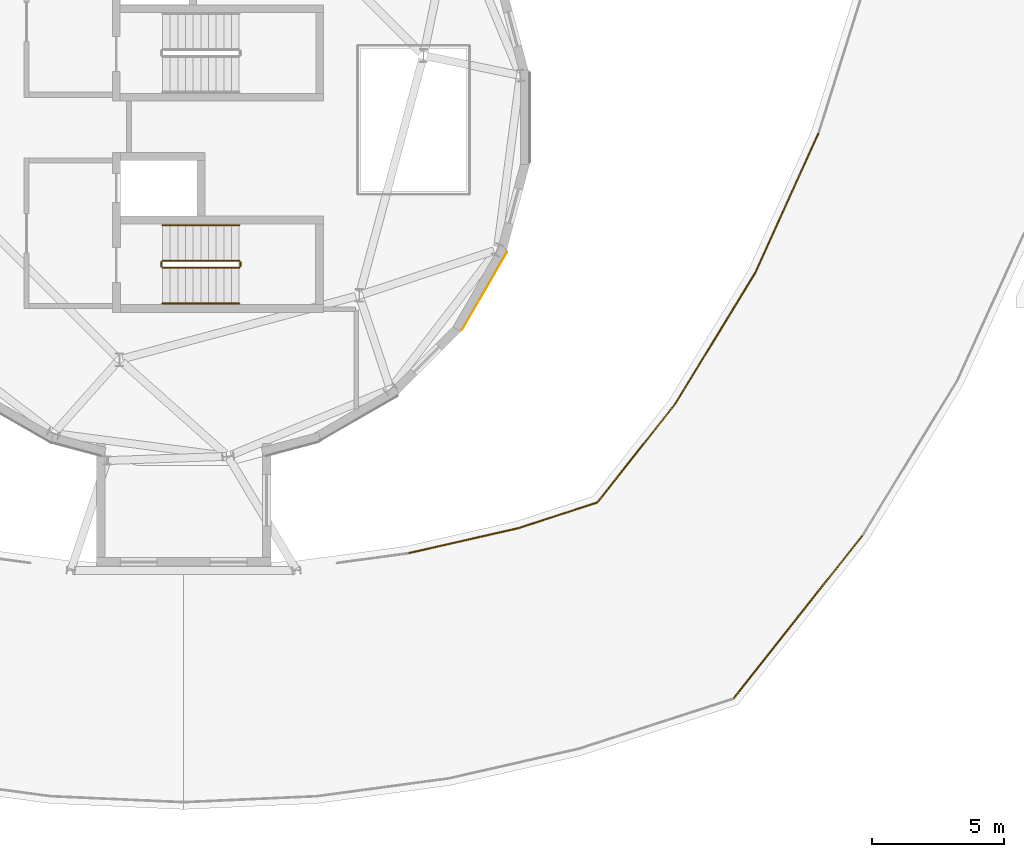
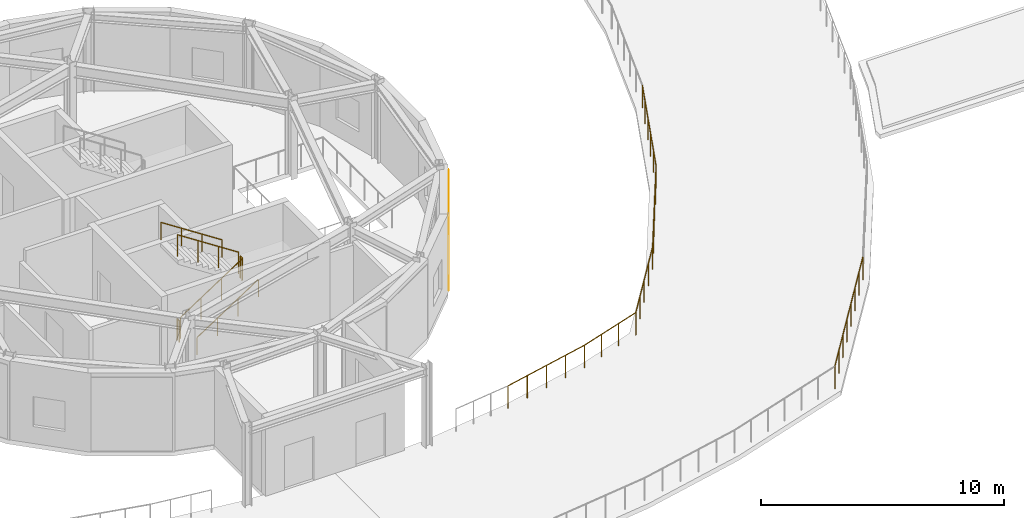
# One storey, part 49 of 59: 12 railings, 1 covering.
"""IFC4 building model written with IfcOpenShell, lengths in metres."""

from ifc_helpers import new_model, si_unit, direction, frame, origin, origin_2d, place, context, subcontext, project, spatial, rectangle, circle, extrude, material, layer, layer_set, type_object, element, save


model = new_model("IFC4")

# Units and contexts
model_context = context("Model", 3, precision=1e-05, world=origin(), true_north=direction((0.0, 1.0)))
body_context = subcontext(model_context, "Body", "Model", "MODEL_VIEW")
ifc_project = project(units=[si_unit("LENGTHUNIT", "METRE"), si_unit("AREAUNIT", "SQUARE_METRE"), si_unit("VOLUMEUNIT", "CUBIC_METRE"), si_unit("PLANEANGLEUNIT", "RADIAN"), si_unit("MASSUNIT", "GRAM", prefix="KILO")], contexts=[model_context])

# Site, building, storey
site_placement = place(None, origin())
site = spatial("IfcSite", under=ifc_project, at=site_placement, CompositionType="ELEMENT")
building_placement = place(site_placement, origin())
building = spatial("IfcBuilding", under=site, at=building_placement, Name="Varnklinge Art Gallery", CompositionType="ELEMENT")
storey_placement = place(building_placement, frame((0.0, 0.0, 9.52001953125)))
storey = spatial("IfcBuildingStorey", under=building, at=storey_placement, Name="L02", CompositionType="ELEMENT", Elevation=9.52001953125)

# Covering
ifc_material_1 = material(Name="Pre-weathered Zinc", Category="metal")
ifc_layer = layer(ifc_material_1, 0.02490234375)
ifc_layer_set = layer_set([ifc_layer], Name="Pre-weathered Zinc")
covering_type = type_object("IfcCoveringType", Name="CLD-ZNC", PredefinedType="CLADDING", material=ifc_layer_set)
covering_placement = place(storey_placement, frame((86.88720703125, 32.023681640625, 0.0458984375), z_axis=(0.0, 0.0, 1.0), x_axis=(-0.5, -0.866025403784, 0.0)))
element("IfcCovering", 1, at=covering_placement, inside=storey, type_object=covering_type, Name="L02 Brushed Zinc Drum Cladding EW-V4D-L02-03", PredefinedType="CLADDING", context=body_context, shape_type="SweptSolid", body=[
    extrude(rectangle(XDim=3.39111328125, YDim=0.02490234375, at=origin_2d()), origin(), (0.0, 0.0, 1.0), 3.7099609375),
])

# Railings
ifc_material_2 = material(Name="Steel S355", Category="steel")
railing_type_1 = type_object("IfcRailingType", Name="GR-EXT", PredefinedType="GUARDRAIL", material=ifc_material_2)
railing_1_placement = place(storey_placement, frame((96.30615234375, 16.589599609375, 0.0)))
element("IfcRailing", 2, at=railing_1_placement, inside=storey, type_object=railing_type_1, Name="L02 Roof Sculpture Garden Guardrail O01.1", PredefinedType="GUARDRAIL", context=body_context, shape_type="SweptSolid", body=[
    extrude(circle(Radius=0.02392578125, at=origin_2d()), frame((0.0, 0.0, 1.1259765625), z_axis=(0.620763892495, 0.783997570006, 0.0), x_axis=(-0.783997570006, 0.620763892495, 0.0)), (0.0, 0.0, 1.0), 7.900146484375),
    extrude(circle(Radius=0.02099609375, at=origin_2d()), origin(), (0.0, 0.0, 1.0), 1.101806640625),
    extrude(circle(Radius=0.02099609375, at=origin_2d()), frame((0.70068359375, 0.884765625, 0.0)), (0.0, 0.0, 1.0), 1.101806640625),
    extrude(circle(Radius=0.02099609375, at=origin_2d()), frame((1.401123046875, 1.76953125, 0.0)), (0.0, 0.0, 1.0), 1.101806640625),
    extrude(circle(Radius=0.02099609375, at=origin_2d()), frame((2.101806640625, 2.654296875, 0.0)), (0.0, 0.0, 1.0), 1.101806640625),
    extrude(circle(Radius=0.02099609375, at=origin_2d()), frame((2.80224609375, 3.539306640625, 0.0)), (0.0, 0.0, 1.0), 1.101806640625),
    extrude(circle(Radius=0.02099609375, at=origin_2d()), frame((3.5029296875, 4.424072265625, 0.0)), (0.0, 0.0, 1.0), 1.101806640625),
    extrude(circle(Radius=0.02099609375, at=origin_2d()), frame((4.203369140625, 5.308837890625, 0.0)), (0.0, 0.0, 1.0), 1.101806640625),
    extrude(circle(Radius=0.02099609375, at=origin_2d()), frame((4.904052734375, 6.193603515625, 0.0)), (0.0, 0.0, 1.0), 1.101806640625),
])
railing_2_placement = place(storey_placement, frame((91.150390625, 24.009521484375, 0.0)))
element("IfcRailing", 3, at=railing_2_placement, inside=storey, type_object=railing_type_1, Name="L02 Roof Sculpture Garden Guardrail I01.1", PredefinedType="GUARDRAIL", context=body_context, shape_type="SweptSolid", body=[
    extrude(circle(Radius=0.02392578125, at=origin_2d()), frame((0.0, 0.0, 1.1259765625), z_axis=(0.620762109021, 0.783998982145, 0.0), x_axis=(-0.783998982145, 0.620762109021, 0.0)), (0.0, 0.0, 1.0), 4.756103515625),
    extrude(circle(Radius=0.02099609375, at=origin_2d()), origin(), (0.0, 0.0, 1.0), 1.101806640625),
    extrude(circle(Radius=0.02099609375, at=origin_2d()), frame((0.738037109375, 0.93212890625, 0.0)), (0.0, 0.0, 1.0), 1.101806640625),
    extrude(circle(Radius=0.02099609375, at=origin_2d()), frame((1.47607421875, 1.8642578125, 0.0)), (0.0, 0.0, 1.0), 1.101806640625),
    extrude(circle(Radius=0.02099609375, at=origin_2d()), frame((2.21435546875, 2.796630859375, 0.0)), (0.0, 0.0, 1.0), 1.101806640625),
    extrude(circle(Radius=0.02099609375, at=origin_2d()), frame((2.952392578125, 3.728759765625, 0.0)), (0.0, 0.0, 1.0), 1.101806640625),
])
railing_3_placement = place(storey_placement, frame((94.102783203125, 27.73828125, 0.0)))
element("IfcRailing", 4, at=railing_3_placement, inside=storey, type_object=railing_type_1, Name="L02 Roof Sculpture Garden Guardrail I02.1", PredefinedType="GUARDRAIL", context=body_context, shape_type="SweptSolid", body=[
    extrude(circle(Radius=0.02392578125, at=origin_2d()), frame((0.0, 0.0, 1.1259765625), z_axis=(0.52096132854, 0.85358027986, 0.0), x_axis=(-0.85358027986, 0.52096132854, 0.0)), (0.0, 0.0, 1.0), 5.80078125),
    extrude(circle(Radius=0.02099609375, at=origin_2d()), origin(), (0.0, 0.0, 1.0), 1.101806640625),
    extrude(circle(Radius=0.02099609375, at=origin_2d()), frame((0.6044921875, 0.990234375, 0.0)), (0.0, 0.0, 1.0), 1.101806640625),
    extrude(circle(Radius=0.02099609375, at=origin_2d()), frame((1.208740234375, 1.98046875, 0.0)), (0.0, 0.0, 1.0), 1.101806640625),
    extrude(circle(Radius=0.02099609375, at=origin_2d()), frame((1.813232421875, 2.970947265625, 0.0)), (0.0, 0.0, 1.0), 1.101806640625),
    extrude(circle(Radius=0.02099609375, at=origin_2d()), frame((2.41748046875, 3.961181640625, 0.0)), (0.0, 0.0, 1.0), 1.101806640625),
    extrude(circle(Radius=0.02099609375, at=origin_2d()), frame((3.02197265625, 4.951416015625, 0.0)), (0.0, 0.0, 1.0), 1.101806640625),
])
railing_4_placement = place(storey_placement, frame((97.124755859375, 32.689697265625, 0.0)))
element("IfcRailing", 5, at=railing_4_placement, inside=storey, type_object=railing_type_1, Name="L02 Roof Sculpture Garden Guardrail I03.1", PredefinedType="GUARDRAIL", context=body_context, shape_type="SweptSolid", body=[
    extrude(circle(Radius=0.02392578125, at=origin_2d()), frame((0.0, 0.0, 1.1259765625), z_axis=(0.413381162395, 0.91055807864, 0.0), x_axis=(-0.91055807864, 0.413381162395, 0.0)), (0.0, 0.0, 1.0), 5.80078125),
    extrude(circle(Radius=0.02099609375, at=origin_2d()), origin(), (0.0, 0.0, 1.0), 1.101806640625),
    extrude(circle(Radius=0.02099609375, at=origin_2d()), frame((0.4794921875, 1.056396484375, 0.0)), (0.0, 0.0, 1.0), 1.101806640625),
    extrude(circle(Radius=0.02099609375, at=origin_2d()), frame((0.959228515625, 2.11279296875, 0.0)), (0.0, 0.0, 1.0), 1.101806640625),
    extrude(circle(Radius=0.02099609375, at=origin_2d()), frame((1.438720703125, 3.169189453125, 0.0)), (0.0, 0.0, 1.0), 1.101806640625),
    extrude(circle(Radius=0.02099609375, at=origin_2d()), frame((1.91845703125, 4.2255859375, 0.0)), (0.0, 0.0, 1.0), 1.101806640625),
    extrude(circle(Radius=0.02099609375, at=origin_2d()), frame((2.39794921875, 5.281982421875, 0.0)), (0.0, 0.0, 1.0), 1.101806640625),
])
railing_5_placement = place(storey_placement, frame((83.9912109375, 22.0908203125, 0.0)))
element("IfcRailing", 6, at=railing_5_placement, inside=storey, type_object=railing_type_1, Name="L02 Roof Sculpture Garden Guardrail I39.1", PredefinedType="GUARDRAIL", context=body_context, shape_type="SweptSolid", body=[
    extrude(circle(Radius=0.02392578125, at=origin_2d()), frame((0.0, 0.0, 1.1259765625), z_axis=(0.975060863932, 0.221937630043, 0.0), x_axis=(-0.221937630043, 0.975060863932, 0.0)), (0.0, 0.0, 1.0), 4.26708984375),
    extrude(circle(Radius=0.02099609375, at=origin_2d()), origin(), (0.0, 0.0, 1.0), 1.101806640625),
    extrude(circle(Radius=0.02099609375, at=origin_2d()), frame((1.0400390625, 0.23681640625, 0.0)), (0.0, 0.0, 1.0), 1.101806640625),
    extrude(circle(Radius=0.02099609375, at=origin_2d()), frame((2.080322265625, 0.4736328125, 0.0)), (0.0, 0.0, 1.0), 1.101806640625),
    extrude(circle(Radius=0.02099609375, at=origin_2d()), frame((3.12060546875, 0.710205078125, 0.0)), (0.0, 0.0, 1.0), 1.101806640625),
    extrude(circle(Radius=0.02099609375, at=origin_2d()), frame((4.16064453125, 0.947021484375, 0.0)), (0.0, 0.0, 1.0), 1.101806640625),
])
railing_6_placement = place(storey_placement, frame((88.15185546875, 23.037841796875, 0.0)))
element("IfcRailing", 7, at=railing_6_placement, inside=storey, type_object=railing_type_1, Name="L02 Roof Sculpture Garden Guardrail I40.1", PredefinedType="GUARDRAIL", context=body_context, shape_type="SweptSolid", body=[
    extrude(circle(Radius=0.02392578125, at=origin_2d()), frame((0.0, 0.0, 1.1259765625), z_axis=(0.951298964859, 0.308269816002, 0.0), x_axis=(-0.308269816002, 0.951298964859, 0.0)), (0.0, 0.0, 1.0), 3.152099609375),
    extrude(circle(Radius=0.02099609375, at=origin_2d()), origin(), (0.0, 0.0, 1.0), 1.101806640625),
    extrude(circle(Radius=0.02099609375, at=origin_2d()), frame((0.99951171875, 0.323974609375, 0.0)), (0.0, 0.0, 1.0), 1.101806640625),
    extrude(circle(Radius=0.02099609375, at=origin_2d()), frame((1.9990234375, 0.647705078125, 0.0)), (0.0, 0.0, 1.0), 1.101806640625),
    extrude(circle(Radius=0.02099609375, at=origin_2d()), frame((2.99853515625, 0.9716796875, 0.0)), (0.0, 0.0, 1.0), 1.101806640625),
])
ifc_material_3 = material(Name="Steel S355", Category="steel")
railing_type_2 = type_object("IfcRailingType", Name="GR-INT", PredefinedType="GUARDRAIL", material=ifc_material_3)
railing_7_placement = place(storey_placement, frame((74.699951171875, 32.89990234375, 0.18896484375)))
element("IfcRailing", 8, at=railing_7_placement, inside=storey, type_object=railing_type_2, Name="L02 ST-01 stair guard 1", PredefinedType="GUARDRAIL", context=body_context, shape_type="SweptSolid", body=[
    extrude(circle(Radius=0.02392578125, at=origin_2d()), frame((0.0, 0.0, 1.076171875), z_axis=(0.837648470955, 0.0, 0.546209702502), x_axis=(0.0, 1.0, 0.0)), (0.0, 0.0, 1.0), 3.462158203125),
    extrude(circle(Radius=0.02099609375, at=origin_2d()), origin(), (0.0, 0.0, 1.0), 1.052001953125),
    extrude(circle(Radius=0.02099609375, at=origin_2d()), frame((0.966796875, 0.0, 0.63037109375)), (0.0, 0.0, 1.0), 1.052001953125),
    extrude(circle(Radius=0.02099609375, at=origin_2d()), frame((1.933349609375, 0.0, 1.2607421875)), (0.0, 0.0, 1.0), 1.052001953125),
    extrude(circle(Radius=0.02099609375, at=origin_2d()), frame((2.900146484375, 0.0, 1.89111328125)), (0.0, 0.0, 1.0), 1.052001953125),
])
railing_8_placement = place(storey_placement, frame((77.64990234375, 32.949951171875, 2.080078125)))
element("IfcRailing", 9, at=railing_8_placement, inside=storey, type_object=railing_type_2, Name="L02 ST-01 stair guard 2", PredefinedType="GUARDRAIL", context=body_context, shape_type="SweptSolid", body=[
    extrude(circle(Radius=0.02392578125, at=origin_2d()), frame((0.0, 0.0, 1.076171875), z_axis=(0.0, 1.0, 0.0), x_axis=(-1.0, 0.0, 0.0)), (0.0, 0.0, 1.0), 0.16015625),
    extrude(circle(Radius=0.02099609375, at=origin_2d()), origin(), (0.0, 0.0, 1.0), 1.052001953125),
    extrude(circle(Radius=0.02099609375, at=origin_2d()), frame((0.0, 0.16015625, 0.0)), (0.0, 0.0, 1.0), 1.052001953125),
])
railing_9_placement = place(storey_placement, frame((77.60009765625, 33.159912109375, 2.26904296875)))
element("IfcRailing", 10, at=railing_9_placement, inside=storey, type_object=railing_type_2, Name="L02 ST-01 stair guard 3", PredefinedType="GUARDRAIL", context=body_context, shape_type="SweptSolid", body=[
    extrude(circle(Radius=0.02392578125, at=origin_2d()), frame((0.0, 0.0, 1.076171875), z_axis=(-0.837680733616, 0.0, 0.546160222397), x_axis=(0.0, -1.0, 0.0)), (0.0, 0.0, 1.0), 3.462158203125),
    extrude(circle(Radius=0.02099609375, at=origin_2d()), origin(), (0.0, 0.0, 1.0), 1.052001953125),
    extrude(circle(Radius=0.02099609375, at=origin_2d()), frame((-0.966796875, 0.0, 0.63037109375)), (0.0, 0.0, 1.0), 1.052001953125),
    extrude(circle(Radius=0.02099609375, at=origin_2d()), frame((-1.933349609375, 0.0, 1.260498046875)), (0.0, 0.0, 1.0), 1.052001953125),
    extrude(circle(Radius=0.02099609375, at=origin_2d()), frame((-2.900146484375, 0.0, 1.890869140625)), (0.0, 0.0, 1.0), 1.052001953125),
])
railing_10_placement = place(storey_placement, frame((74.64990234375, 32.949951171875, 0.0)))
element("IfcRailing", 11, at=railing_10_placement, inside=storey, type_object=railing_type_2, Name="L02 ST-01 stair guard 4", PredefinedType="GUARDRAIL", context=body_context, shape_type="SweptSolid", body=[
    extrude(circle(Radius=0.02392578125, at=origin_2d()), frame((0.0, 0.0, 1.076171875), z_axis=(0.0, 1.0, 0.0), x_axis=(-1.0, 0.0, 0.0)), (0.0, 0.0, 1.0), 0.16015625),
    extrude(circle(Radius=0.02099609375, at=origin_2d()), origin(), (0.0, 0.0, 1.0), 1.052001953125),
    extrude(circle(Radius=0.02099609375, at=origin_2d()), frame((0.0, 0.16015625, 0.0)), (0.0, 0.0, 1.0), 1.052001953125),
])
ifc_material_4 = material(Name="Steel S355", Category="steel")
railing_type_3 = type_object("IfcRailingType", Name="HR-01", PredefinedType="HANDRAIL", material=ifc_material_4)
railing_11_placement = place(storey_placement, frame((74.699951171875, 31.550048828125, 0.18896484375)))
element("IfcRailing", 12, at=railing_11_placement, inside=storey, type_object=railing_type_3, Name="L02 ST-01 stair handrail 1", PredefinedType="HANDRAIL", context=body_context, shape_type="SweptSolid", body=[
    extrude(circle(Radius=0.02392578125, at=origin_2d()), frame((0.0, 0.0, 0.8759765625), z_axis=(0.837648470955, 0.0, 0.546209702502), x_axis=(0.0, 1.0, 0.0)), (0.0, 0.0, 1.0), 3.462158203125),
    extrude(circle(Radius=0.02099609375, at=origin_2d()), origin(), (0.0, 0.0, 1.0), 0.851806640625),
    extrude(circle(Radius=0.02099609375, at=origin_2d()), frame((0.966796875, 0.0, 0.63037109375)), (0.0, 0.0, 1.0), 0.851806640625),
    extrude(circle(Radius=0.02099609375, at=origin_2d()), frame((1.933349609375, 0.0, 1.2607421875)), (0.0, 0.0, 1.0), 0.851806640625),
    extrude(circle(Radius=0.02099609375, at=origin_2d()), frame((2.900146484375, 0.0, 1.89111328125)), (0.0, 0.0, 1.0), 0.851806640625),
])
railing_12_placement = place(storey_placement, frame((77.60009765625, 34.510009765625, 2.26904296875)))
element("IfcRailing", 13, at=railing_12_placement, inside=storey, type_object=railing_type_3, Name="L02 ST-01 stair handrail 2", PredefinedType="HANDRAIL", context=body_context, shape_type="SweptSolid", body=[
    extrude(circle(Radius=0.02392578125, at=origin_2d()), frame((0.0, 0.0, 0.8759765625), z_axis=(-0.837680733616, 0.0, 0.546160222397), x_axis=(0.0, -1.0, 0.0)), (0.0, 0.0, 1.0), 3.462158203125),
    extrude(circle(Radius=0.02099609375, at=origin_2d()), origin(), (0.0, 0.0, 1.0), 0.851806640625),
    extrude(circle(Radius=0.02099609375, at=origin_2d()), frame((-0.966796875, 0.0, 0.63037109375)), (0.0, 0.0, 1.0), 0.851806640625),
    extrude(circle(Radius=0.02099609375, at=origin_2d()), frame((-1.933349609375, 0.0, 1.260498046875)), (0.0, 0.0, 1.0), 0.851806640625),
    extrude(circle(Radius=0.02099609375, at=origin_2d()), frame((-2.900146484375, 0.0, 1.890869140625)), (0.0, 0.0, 1.0), 0.851806640625),
])

save(model, "model.ifc")
